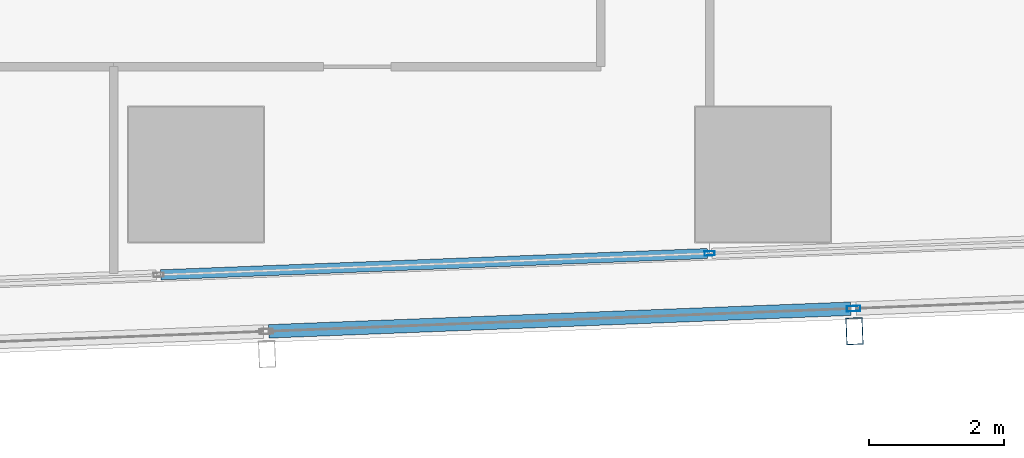
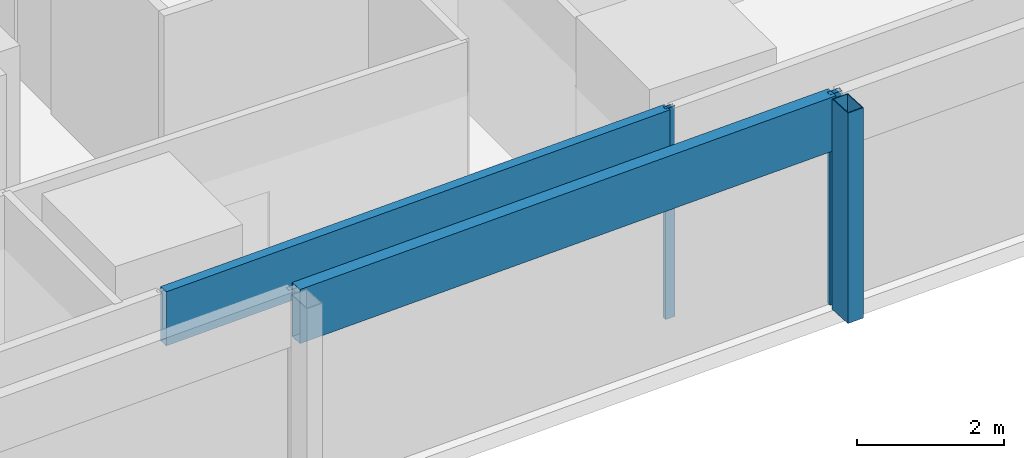
# One storey, part 11 of 39: 5 members, 2 elements without a shape of their own.
"""IFC4 building model written with IfcOpenShell, lengths in metres."""

from ifc_helpers import new_model, si_unit, direction, frame, origin, origin_2d, place, context, subcontext, project, spatial, hollow_rectangle, extrude, material, material_profile, profile_set, type_object, element, aggregate, save


model = new_model("IFC4")

# Units and contexts
model_context = context("Model", 3, precision=1e-05, world=origin(), true_north=direction((0.0, 1.0)))
body_context = subcontext(model_context, "Body", "Model", "MODEL_VIEW")
ifc_project = project(units=[si_unit("LENGTHUNIT", "METRE"), si_unit("AREAUNIT", "SQUARE_METRE"), si_unit("VOLUMEUNIT", "CUBIC_METRE"), si_unit("PLANEANGLEUNIT", "RADIAN"), si_unit("MASSUNIT", "GRAM", prefix="KILO")], contexts=[model_context])

# Site, building, storey
site_placement = place(None, origin())
site = spatial("IfcSite", under=ifc_project, at=site_placement, CompositionType="ELEMENT")
building_placement = place(site_placement, origin())
building = spatial("IfcBuilding", under=site, at=building_placement, Name="Rekha Terrace Tower", CompositionType="ELEMENT")
storey_placement = place(building_placement, frame((0.0, 0.0, 147.800048828125)))
storey = spatial("IfcBuildingStorey", under=building, at=storey_placement, Name="L37", CompositionType="ELEMENT", Elevation=147.800048828125)

# Curtain wall, member
ifc_material_1 = material(Name="Aluminium framing", Category="aluminium")
curtain_wall_type_1 = type_object("IfcCurtainWallType", Name="CW2 double skin outer glazing", PredefinedType="USERDEFINED", material=ifc_material_1)
curtain_wall_1_placement = place(storey_placement, origin())
curtain_wall_1 = element("IfcCurtainWall", 1, at=curtain_wall_1_placement, inside=storey, type_object=curtain_wall_type_1, Name="CW2 double skin outer glazing", ObjectType="DOUBLE SKIN OUTER GLAZING", PredefinedType="USERDEFINED")
ifc_material_2 = material(Name="Steel S355 with fluorocarbon finish", Category="steel")
ifc_material_profile_1 = material_profile(ifc_material_2, hollow_rectangle(XDim=0.25, YDim=0.39990234375, WallThickness=0.012451171875, at=origin_2d()), Name="RHS400x250x12.5")
ifc_profile_set_1 = profile_set([ifc_material_profile_1], Name="Steel S355 with fluorocarbon finish")
member_type_1 = type_object("IfcMemberType", Name="BL1 facade blade RHS 400 x 250", PredefinedType="USERDEFINED", material=ifc_profile_set_1)
member_1_placement = place(storey_placement, frame((60.1572265625, 14.480712890625, 0.0), z_axis=(0.0, 0.0, 1.0), x_axis=(0.999243494356, 0.038890088543, 0.0)))
member_1 = element("IfcMember", 2, at=member_1_placement, type_object=member_type_1, Name="Facade blade", ObjectType="FACADE BLADE", PredefinedType="USERDEFINED", context=body_context, shape_type="SweptSolid", body=[
    extrude(hollow_rectangle(XDim=0.25, YDim=0.39990234375, WallThickness=0.012451171875, at=origin_2d()), origin(), (0.0, 0.0, 1.0), 3.5),
])

# Curtain wall, members
curtain_wall_type_2 = type_object("IfcCurtainWallType", Name="CW1 double skin inner glazing", PredefinedType="USERDEFINED", material=ifc_material_1)
curtain_wall_2_placement = place(storey_placement, origin())
curtain_wall_2 = element("IfcCurtainWall", 3, at=curtain_wall_2_placement, inside=storey, type_object=curtain_wall_type_2, Name="CW1 double skin inner glazing", ObjectType="DOUBLE SKIN INNER GLAZING", PredefinedType="USERDEFINED")
ifc_material_3 = material(Name="Aluminium mullion section", Category="aluminium")
ifc_material_profile_2 = material_profile(ifc_material_3, hollow_rectangle(XDim=0.06494140625, YDim=0.14990234375, WallThickness=0.00390625, at=origin_2d()), Name="AL RHS 65x150")
ifc_profile_set_2 = profile_set([ifc_material_profile_2], Name="Aluminium mullion section")
member_type_2 = type_object("IfcMemberType", Name="CW1 mullion RHS 65 x 150", PredefinedType="MULLION", material=ifc_profile_set_2)
member_2_placement = place(storey_placement, frame((58.010498046875, 15.633056640625, 0.0), z_axis=(0.0, 0.0, 1.0), x_axis=(-0.038889971328, 0.999243498918, 0.0)))
member_2 = element("IfcMember", 4, at=member_2_placement, type_object=member_type_2, Name="CW1 mullion 5", PredefinedType="MULLION", context=body_context, shape_type="SweptSolid", body=[
    extrude(hollow_rectangle(XDim=0.06494140625, YDim=0.14990234375, WallThickness=0.00390625, at=origin_2d()), origin(), (0.0, 0.0, 1.0), 3.5),
])
ifc_material_4 = material(Name="Insulated aluminium spandrel box", Category="aluminium")
ifc_material_profile_3 = material_profile(ifc_material_4, hollow_rectangle(XDim=0.14990234375, YDim=0.89990234375, WallThickness=0.0029296875, at=origin_2d()), Name="AL SPANDREL BOX 150x900")
ifc_profile_set_3 = profile_set([ifc_material_profile_3], Name="Insulated aluminium spandrel box")
member_type_3 = type_object("IfcMemberType", Name="CW1 spandrel transom 150 x 900", PredefinedType="USERDEFINED", material=ifc_profile_set_3)
member_3_placement = place(storey_placement, frame((49.877197265625, 15.316650390625, 3.050048828125), z_axis=(0.999243949495, 0.038878392417, 0.0), x_axis=(-0.038878392417, 0.999243949495, 0.0)))
member_3 = element("IfcMember", 5, at=member_3_placement, type_object=member_type_3, Name="CW1 spandrel transom 4", ObjectType="TRANSOM", PredefinedType="USERDEFINED", context=body_context, shape_type="SweptSolid", body=[
    extrude(hollow_rectangle(XDim=0.14990234375, YDim=0.89990234375, WallThickness=0.0029296875, at=origin_2d()), origin(), (0.0, 0.0, 1.0), 8.10693359375),
])
aggregate(curtain_wall_2, [member_2, member_3])

# Member
ifc_material_profile_4 = material_profile(ifc_material_3, hollow_rectangle(XDim=0.080078125, YDim=0.199951171875, WallThickness=0.00390625, at=origin_2d()), Name="AL RHS 80x200")
ifc_profile_set_4 = profile_set([ifc_material_profile_4], Name="Aluminium mullion section")
member_type_4 = type_object("IfcMemberType", Name="CW2 mullion RHS 80 x 200", PredefinedType="MULLION", material=ifc_profile_set_4)
member_4_placement = place(storey_placement, frame((60.14404296875, 14.8154296875, 0.0), z_axis=(0.0, 0.0, 1.0), x_axis=(-0.038889971345, 0.999243498917, 0.0)))
member_4 = element("IfcMember", 6, at=member_4_placement, type_object=member_type_4, Name="CW2 mullion 5", PredefinedType="MULLION", context=body_context, shape_type="SweptSolid", body=[
    extrude(hollow_rectangle(XDim=0.080078125, YDim=0.199951171875, WallThickness=0.00390625, at=origin_2d()), origin(), (0.0, 0.0, 1.0), 3.5),
])

ifc_material_profile_5 = material_profile(ifc_material_4, hollow_rectangle(XDim=0.199951171875, YDim=0.89990234375, WallThickness=0.0029296875, at=origin_2d()), Name="AL SPANDREL BOX 200x900")
ifc_profile_set_5 = profile_set([ifc_material_profile_5], Name="Insulated aluminium spandrel box")
member_type_5 = type_object("IfcMemberType", Name="CW2 spandrel transom 200 x 900", PredefinedType="USERDEFINED", material=ifc_profile_set_5)
member_5_placement = place(storey_placement, frame((51.47900390625, 14.478271484375, 3.050048828125), z_axis=(0.999243481303, 0.038890423923, 0.0), x_axis=(-0.038890423923, 0.999243481303, 0.0)))
member_5 = element("IfcMember", 7, at=member_5_placement, type_object=member_type_5, Name="CW2 spandrel transom 4", ObjectType="TRANSOM", PredefinedType="USERDEFINED", context=body_context, shape_type="SweptSolid", body=[
    extrude(hollow_rectangle(XDim=0.199951171875, YDim=0.89990234375, WallThickness=0.0029296875, at=origin_2d()), origin(), (0.0, 0.0, 1.0), 8.6318359375),
])

aggregate(curtain_wall_1, [member_4, member_5, member_1])

save(model, "model.ifc")
